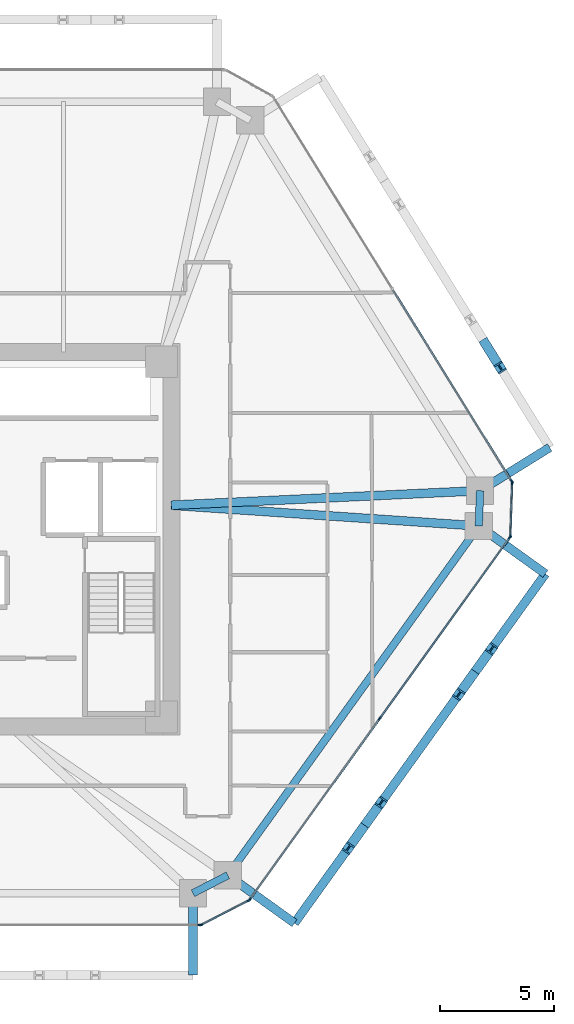
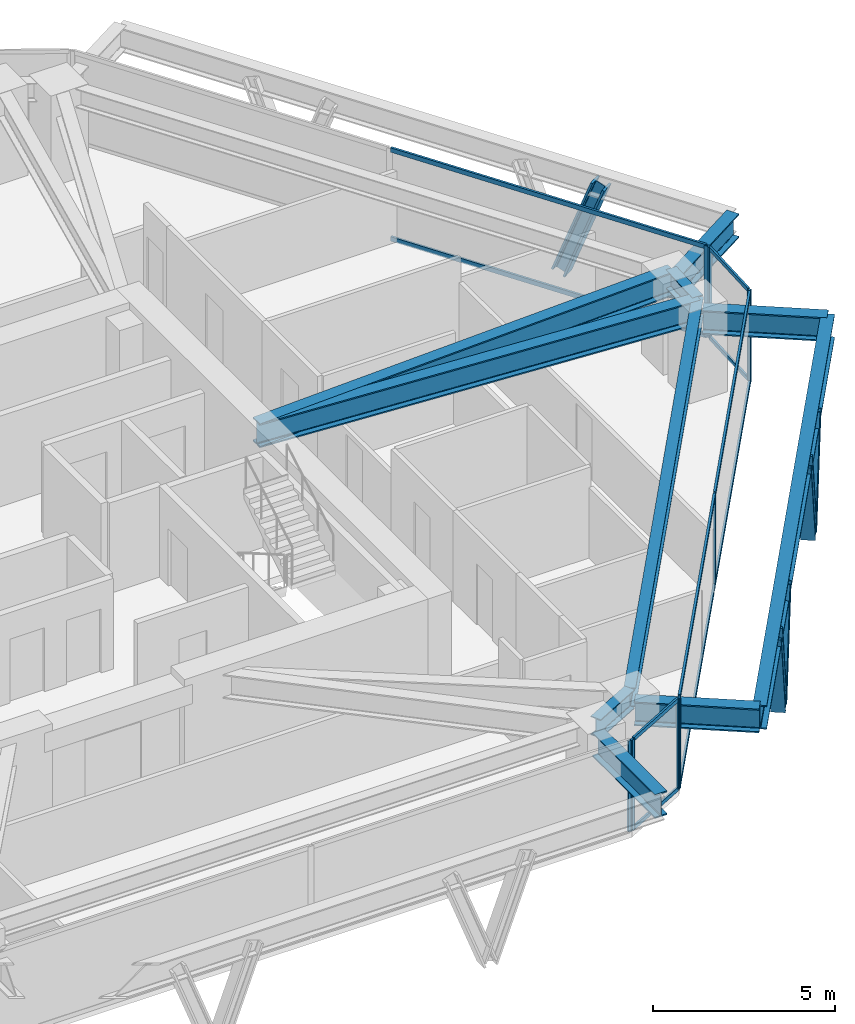
# One storey, part 5 of 13: 24 members, 10 beams, 5 elements without a shape of their own.
"""IFC4 building model written with IfcOpenShell, lengths in metres."""

from ifc_helpers import new_model, si_unit, direction, frame, origin, origin_2d, place, context, subcontext, project, spatial, rectangle, i_section, extrude, source, transform, mapped, material, layer, layer_set, material_profile, profile_set, type_object, type_shapes, element, aggregate, save


model = new_model("IFC4")

# Units and contexts
model_context = context("Model", 3, precision=1e-05, world=origin(), true_north=direction((0.0, 1.0)))
body_context = subcontext(model_context, "Body", "Model", "MODEL_VIEW")
ifc_project = project(units=[si_unit("LENGTHUNIT", "METRE"), si_unit("AREAUNIT", "SQUARE_METRE"), si_unit("VOLUMEUNIT", "CUBIC_METRE"), si_unit("PLANEANGLEUNIT", "RADIAN"), si_unit("MASSUNIT", "GRAM", prefix="KILO")], contexts=[model_context])

# Site, building, storey
site_placement = place(None, origin())
site = spatial("IfcSite", under=ifc_project, at=site_placement, CompositionType="ELEMENT")
building_placement = place(site_placement, origin())
building = spatial("IfcBuilding", under=site, at=building_placement, Name="Durnholm Broadcast Tower", CompositionType="ELEMENT")
storey_placement = place(building_placement, frame((0.0, 0.0, 133.800048828125)))
storey = spatial("IfcBuildingStorey", under=building, at=storey_placement, Name="L36", CompositionType="ELEMENT", Elevation=133.800048828125)

# Beams
ifc_material_1 = material(Name="Steel ASTM A992 Grade 50", Category="steel")
ifc_material_profile_1 = material_profile(ifc_material_1, i_section(OverallWidth=0.385009765625, OverallDepth=0.802978515625, WebThickness=0.023681640625, FlangeThickness=0.0419921875, FilletRadius=0.032958984375, at=origin_2d()), Name="W30X261")
ifc_profile_set_1 = profile_set([ifc_material_profile_1], Name="Steel ASTM A992 Grade 50")
beam_type_1 = type_object("IfcBeamType", Name="BM-EXO-TIE", PredefinedType="USERDEFINED", material=ifc_profile_set_1)
shared_shape_1 = source(origin(), body_context, "Body", "SweptSolid", [
    extrude(i_section(OverallWidth=0.385009765625, OverallDepth=0.802978515625, WebThickness=0.023681640625, FlangeThickness=0.0419921875, FilletRadius=0.032958984375, at=origin_2d()), origin(), (0.0, 0.0, 1.0), 3.4560546875),
])
for number, where, z_axis, x_axis, name in (
    (1, (11.176025390625, -15.680908203125, 2.30859375), (0.0, -1.0, 0.0), (1.0, 0.0, 0.0), "L36 exoskeleton stand-off tie bracket F1.2"),
    (2, (12.826904296875, -14.834228515625, 2.30859375), (0.812164951739, -0.583427880005, 0.0), (0.583427880005, 0.812164951739, 0.0), "L36 exoskeleton stand-off tie bracket F2.1"),
    (3, (23.844970703125, 0.5029296875, 2.30859375), (0.812164951739, -0.583427880005, 0.0), (0.583427880005, 0.812164951739, 0.0), "L36 exoskeleton stand-off tie bracket F2.2"),
    (4, (23.903076171875, 2.21240234375, 2.30859375), (0.849795112316, 0.527113144481, 0.0), (-0.527113144481, 0.849795112316, 0.0), "L36 exoskeleton stand-off tie bracket F3.1"),
):
    element("IfcBeam", number, at=place(storey_placement, frame(where, z_axis=z_axis, x_axis=x_axis)), inside=storey, type_object=beam_type_1, Name=name, ObjectType="GIRDER", PredefinedType="USERDEFINED", context=body_context, shape_type="MappedRepresentation", body=[
        mapped(shared_shape_1, transform((0.0, 0.0, 0.0), x_axis=(1.0, 0.0, 0.0), y_axis=(0.0, 1.0, 0.0), z_axis=(0.0, 0.0, 1.0), scale=1.0)),
    ])
ifc_material_profile_2 = material_profile(ifc_material_1, i_section(OverallWidth=0.3291015625, OverallDepth=0.635009765625, WebThickness=0.017822265625, FlangeThickness=0.031005859375, FilletRadius=0.02783203125, at=origin_2d()), Name="W24X162")
ifc_profile_set_2 = profile_set([ifc_material_profile_2], Name="Steel ASTM A992 Grade 50")
beam_type_2 = type_object("IfcBeamType", Name="STL-SP-W24X162", PredefinedType="SPANDREL", material=ifc_profile_set_2)
shared_shape_2 = source(origin(), body_context, "Body", "SweptSolid", [
    extrude(i_section(OverallWidth=0.3291015625, OverallDepth=0.635009765625, WebThickness=0.017822265625, FlangeThickness=0.031005859375, FilletRadius=0.02783203125, at=origin_2d()), origin(), (0.0, 0.0, 1.0), 18.884521484375),
])
beam_1_placement = place(storey_placement, frame((23.72802734375, 0.5869140625, 2.7275390625), z_axis=(-0.583443434414, -0.812153777827, 0.0), x_axis=(0.812153777827, -0.583443434414, 0.0)))
element("IfcBeam", 5, at=beam_1_placement, inside=storey, type_object=beam_type_2, Name="L36 perimeter spandrel girder 09", PredefinedType="SPANDREL", context=body_context, shape_type="MappedRepresentation", body=[
    mapped(shared_shape_2, transform((0.0, 0.0, 0.0), x_axis=(1.0, 0.0, 0.0), y_axis=(0.0, 1.0, 0.0), z_axis=(0.0, 0.0, 1.0), scale=1.0)),
])
shared_shape_3 = source(origin(), body_context, "Body", "SweptSolid", [
    extrude(i_section(OverallWidth=0.3291015625, OverallDepth=0.635009765625, WebThickness=0.017822265625, FlangeThickness=0.031005859375, FilletRadius=0.02783203125, at=origin_2d()), origin(), (0.0, 0.0, 1.0), 1.723876953125),
])
beam_2_placement = place(storey_placement, frame((12.7099609375, -14.750244140625, 2.7275390625), z_axis=(-0.889762904339, -0.456423020959, 0.0), x_axis=(0.456423020959, -0.889762904339, 0.0)))
element("IfcBeam", 6, at=beam_2_placement, inside=storey, type_object=beam_type_2, Name="L36 perimeter spandrel girder 10", PredefinedType="SPANDREL", context=body_context, shape_type="MappedRepresentation", body=[
    mapped(shared_shape_3, transform((0.0, 0.0, 0.0), x_axis=(1.0, 0.0, 0.0), y_axis=(0.0, 1.0, 0.0), z_axis=(0.0, 0.0, 1.0), scale=1.0)),
])
shared_shape_4 = source(origin(), body_context, "Body", "SweptSolid", [
    extrude(i_section(OverallWidth=0.3291015625, OverallDepth=0.635009765625, WebThickness=0.017822265625, FlangeThickness=0.031005859375, FilletRadius=0.02783203125, at=origin_2d()), origin(), (0.0, 0.0, 1.0), 1.55078125),
])
type_shapes(beam_type_2, [shared_shape_2, shared_shape_3, shared_shape_4])
beam_3_placement = place(storey_placement, frame((23.78076171875, 2.13671875, 2.7275390625), z_axis=(-0.03400678419, -0.999421602042, 0.0), x_axis=(0.999421602042, -0.03400678419, 0.0)))
element("IfcBeam", 7, at=beam_3_placement, inside=storey, type_object=beam_type_2, Name="L36 perimeter spandrel girder 08", PredefinedType="SPANDREL", context=body_context, shape_type="MappedRepresentation", body=[
    mapped(shared_shape_4, transform((0.0, 0.0, 0.0), x_axis=(1.0, 0.0, 0.0), y_axis=(0.0, 1.0, 0.0), z_axis=(0.0, 0.0, 1.0), scale=1.0)),
])
ifc_material_profile_3 = material_profile(ifc_material_1, i_section(OverallWidth=0.385009765625, OverallDepth=0.802978515625, WebThickness=0.023681640625, FlangeThickness=0.0419921875, FilletRadius=0.032958984375, at=origin_2d()), Name="W30X261")
ifc_profile_set_3 = profile_set([ifc_material_profile_3], Name="Steel ASTM A992 Grade 50")
beam_type_3 = type_object("IfcBeamType", Name="STL-GR-W30X261", PredefinedType="USERDEFINED", material=ifc_profile_set_3)
shared_shape_5 = source(origin(), body_context, "Body", "SweptSolid", [
    extrude(i_section(OverallWidth=0.385009765625, OverallDepth=0.802978515625, WebThickness=0.023681640625, FlangeThickness=0.0419921875, FilletRadius=0.032958984375, at=origin_2d()), origin(), (0.0, 0.0, 1.0), 13.570556640625),
])
beam_4_placement = place(storey_placement, frame((10.22509765625, 1.5, 2.6435546875), z_axis=(0.99889869961, 0.046918950518, 0.0), x_axis=(-0.046918950518, 0.99889869961, 0.0)))
element("IfcBeam", 8, at=beam_4_placement, inside=storey, type_object=beam_type_3, Name="L36 radial primary floor girder 08", ObjectType="GIRDER", PredefinedType="USERDEFINED", context=body_context, shape_type="MappedRepresentation", body=[
    mapped(shared_shape_5, transform((0.0, 0.0, 0.0), x_axis=(1.0, 0.0, 0.0), y_axis=(0.0, 1.0, 0.0), z_axis=(0.0, 0.0, 1.0), scale=1.0)),
])
shared_shape_6 = source(origin(), body_context, "Body", "SweptSolid", [
    extrude(i_section(OverallWidth=0.385009765625, OverallDepth=0.802978515625, WebThickness=0.023681640625, FlangeThickness=0.0419921875, FilletRadius=0.032958984375, at=origin_2d()), origin(), (0.0, 0.0, 1.0), 13.53369140625),
])
type_shapes(beam_type_3, [shared_shape_5, shared_shape_6])
beam_5_placement = place(storey_placement, frame((10.22509765625, 1.5, 2.6435546875), z_axis=(0.99772148964, -0.067467244725, 0.0), x_axis=(0.067467244725, 0.99772148964, 0.0)))
element("IfcBeam", 9, at=beam_5_placement, inside=storey, type_object=beam_type_3, Name="L36 radial primary floor girder 09", ObjectType="GIRDER", PredefinedType="USERDEFINED", context=body_context, shape_type="MappedRepresentation", body=[
    mapped(shared_shape_6, transform((0.0, 0.0, 0.0), x_axis=(1.0, 0.0, 0.0), y_axis=(0.0, 1.0, 0.0), z_axis=(0.0, 0.0, 1.0), scale=1.0)),
])
shared_shape_7 = source(origin(), body_context, "Body", "SweptSolid", [
    extrude(i_section(OverallWidth=0.385009765625, OverallDepth=0.802978515625, WebThickness=0.023681640625, FlangeThickness=0.0419921875, FilletRadius=0.032958984375, at=origin_2d()), origin(), (0.0, 0.0, 1.0), 18.884521484375),
])
type_shapes(beam_type_1, [shared_shape_1, shared_shape_7])
beam_6_placement = place(storey_placement, frame((15.6337890625, -16.8505859375, 2.30859375), z_axis=(0.583443434414, 0.812153777827, 0.0), x_axis=(-0.812153777827, 0.583443434414, 0.0)))
element("IfcBeam", 10, at=beam_6_placement, inside=storey, type_object=beam_type_1, Name="L36 exoskeleton collector spandrel F2", PredefinedType="SPANDREL", context=body_context, shape_type="MappedRepresentation", body=[
    mapped(shared_shape_7, transform((0.0, 0.0, 0.0), x_axis=(1.0, 0.0, 0.0), y_axis=(0.0, 1.0, 0.0), z_axis=(0.0, 0.0, 1.0), scale=1.0)),
])

# Members
ifc_material_2 = material(Name="Steel ASTM A913 Grade 65", Category="steel")
ifc_material_profile_4 = material_profile(ifc_material_2, i_section(OverallWidth=0.41845703125, OverallDepth=0.455078125, WebThickness=0.0419921875, FlangeThickness=0.067626953125, FilletRadius=0.030517578125, at=origin_2d()), Name="W14X370")
ifc_profile_set_4 = profile_set([ifc_material_profile_4], Name="Steel ASTM A913 Grade 65")
member_type_1 = type_object("IfcMemberType", Name="STL-DG-W14X370", PredefinedType="BRACE", material=ifc_profile_set_4)
shared_shape_8 = source(origin(), body_context, "Body", "SweptSolid", [
    extrude(i_section(OverallWidth=0.41845703125, OverallDepth=0.455078125, WebThickness=0.0419921875, FlangeThickness=0.067626953125, FilletRadius=0.030517578125, at=origin_2d()), origin(), (0.0, 0.0, 1.0), 3.523193359375),
])
type_shapes(member_type_1, [shared_shape_8])
for number, where, z_axis, x_axis, name in (
    (11, (18.71875, -12.556396484375, -0.991455078125), (-0.204287819296, -0.284395254542, 0.936688756248), (0.812179469647, -0.583407669717, 0.0), "L36 stand-off diagrid brace F2.D1.1"),
    (12, (18.71875, -12.556396484375, -0.991455078125), (0.204350195342, 0.284454917557, 0.936657033039), (-0.812153063014, 0.583444429434, 0.0), "L36 stand-off diagrid brace F2.D1.2"),
    (13, (23.56689453125, -5.807861328125, -0.991455078125), (-0.204350195342, -0.284454917557, 0.936657033039), (0.812153063014, -0.583444429434, 0.0), "L36 stand-off diagrid brace F2.D2.1"),
    (14, (23.56689453125, -5.807861328125, -0.991455078125), (0.204287819296, 0.284395254542, 0.936688756248), (-0.812179469647, 0.583407669717, 0.0), "L36 stand-off diagrid brace F2.D2.2"),
    (15, (24.01513671875, 8.58837890625, -0.991455078125), (0.184602835855, -0.297623566065, 0.936665364961), (0.849805205368, 0.527096872433, 0.0), "L36 stand-off diagrid brace F3.D1.1"),
):
    element("IfcMember", number, at=place(storey_placement, frame(where, z_axis=z_axis, x_axis=x_axis)), inside=storey, type_object=member_type_1, Name=name, PredefinedType="BRACE", context=body_context, shape_type="MappedRepresentation", body=[
        mapped(shared_shape_8, transform((0.0, 0.0, 0.0), x_axis=(1.0, 0.0, 0.0), y_axis=(0.0, 1.0, 0.0), z_axis=(0.0, 0.0, 1.0), scale=1.0)),
    ])

# Curtain wall, members
ifc_material_3 = material(Name="Aluminium and Solar Control IGU", Category="aluminium")
ifc_layer_1 = layer(ifc_material_3, 0.1650390625)
ifc_layer_set_1 = layer_set([ifc_layer_1], Name="Aluminium and Solar Control IGU")
curtain_wall_type_1 = type_object("IfcCurtainWallType", Name="CW-SYS-5", PredefinedType="NOTDEFINED", material=ifc_layer_set_1)
curtain_wall_1_placement = place(storey_placement, origin())
curtain_wall_1 = element("IfcCurtainWall", 16, at=curtain_wall_1_placement, inside=storey, type_object=curtain_wall_type_1, Name="L36 curtain wall CW-CORNER CW-L36-CRN-07", PredefinedType="NOTDEFINED")
ifc_material_4 = material(Name="Aluminium 6063-T6", Category="aluminium")
ifc_material_profile_5 = material_profile(ifc_material_4, rectangle(XDim=0.06494140625, YDim=0.1650390625, at=origin_2d()), Name="CWM65X165")
ifc_profile_set_5 = profile_set([ifc_material_profile_5], Name="Aluminium 6063-T6")
member_type_2 = type_object("IfcMemberType", Name="CW-SYS-5-MUL", PredefinedType="MULLION", material=ifc_profile_set_5)
shared_shape_9 = source(origin(), body_context, "Body", "SweptSolid", [
    extrude(rectangle(XDim=0.06494140625, YDim=0.1650390625, at=origin_2d()), origin(), (0.0, 0.0, 1.0), 3.06005859375),
])
type_shapes(member_type_2, [shared_shape_9])
member_1_placement = place(storey_placement, frame((25.193115234375, 2.481201171875, 0.0), z_axis=(0.0, 0.0, 1.0), x_axis=(0.999424655155, -0.033916937775, 0.0)))
member_1 = element("IfcMember", 17, at=member_1_placement, type_object=member_type_2, Name="CW-CORNER mullion 1", PredefinedType="MULLION", context=body_context, shape_type="MappedRepresentation", body=[
    mapped(shared_shape_9, transform((0.0, 0.0, 0.0), x_axis=(1.0, 0.0, 0.0), y_axis=(0.0, 1.0, 0.0), z_axis=(0.0, 0.0, 1.0), scale=1.0)),
])
member_2_placement = place(storey_placement, frame((25.114013671875, 0.1474609375, 0.0), z_axis=(0.0, 0.0, 1.0), x_axis=(0.999424655155, -0.033916937775, 0.0)))
member_2 = element("IfcMember", 18, at=member_2_placement, type_object=member_type_2, Name="CW-CORNER mullion 2", PredefinedType="MULLION", context=body_context, shape_type="MappedRepresentation", body=[
    mapped(shared_shape_9, transform((0.0, 0.0, 0.0), x_axis=(1.0, 0.0, 0.0), y_axis=(0.0, 1.0, 0.0), z_axis=(0.0, 0.0, 1.0), scale=1.0)),
])

curtain_wall_2_placement = place(storey_placement, origin())
curtain_wall_2 = element("IfcCurtainWall", 19, at=curtain_wall_2_placement, inside=storey, type_object=curtain_wall_type_1, Name="L36 curtain wall CW-CORNER CW-L36-CRN-09", PredefinedType="NOTDEFINED")
member_3_placement = place(storey_placement, frame((13.620849609375, -15.8564453125, 0.0), z_axis=(0.0, 0.0, 1.0), x_axis=(0.45637332267, -0.889788396392, 0.0)))
member_3 = element("IfcMember", 20, at=member_3_placement, type_object=member_type_2, Name="CW-CORNER mullion 1", PredefinedType="MULLION", context=body_context, shape_type="MappedRepresentation", body=[
    mapped(shared_shape_9, transform((0.0, 0.0, 0.0), x_axis=(1.0, 0.0, 0.0), y_axis=(0.0, 1.0, 0.0), z_axis=(0.0, 0.0, 1.0), scale=1.0)),
])
member_4_placement = place(storey_placement, frame((11.543212890625, -16.922119140625, 0.0), z_axis=(0.0, 0.0, 1.0), x_axis=(0.45637332267, -0.889788396392, 0.0)))
member_4 = element("IfcMember", 21, at=member_4_placement, type_object=member_type_2, Name="CW-CORNER mullion 2", PredefinedType="MULLION", context=body_context, shape_type="MappedRepresentation", body=[
    mapped(shared_shape_9, transform((0.0, 0.0, 0.0), x_axis=(1.0, 0.0, 0.0), y_axis=(0.0, 1.0, 0.0), z_axis=(0.0, 0.0, 1.0), scale=1.0)),
])

# Curtain wall, member
ifc_layer_2 = layer(ifc_material_3, 0.18994140625)
ifc_layer_set_2 = layer_set([ifc_layer_2], Name="Aluminium and Solar Control IGU")
curtain_wall_type_2 = type_object("IfcCurtainWallType", Name="CW-SYS-3", PredefinedType="NOTDEFINED", material=ifc_layer_set_2)
curtain_wall_3_placement = place(storey_placement, origin())
curtain_wall_3 = element("IfcCurtainWall", 22, at=curtain_wall_3_placement, inside=storey, type_object=curtain_wall_type_2, Name="L36 curtain wall CW-Z12-VIS CW-L36-F06", PredefinedType="NOTDEFINED")
ifc_material_profile_6 = material_profile(ifc_material_4, rectangle(XDim=0.070068359375, YDim=0.18994140625, at=origin_2d()), Name="CWM70X190")
ifc_profile_set_6 = profile_set([ifc_material_profile_6], Name="Aluminium 6063-T6")
member_type_3 = type_object("IfcMemberType", Name="CW-SYS-3-MUL", PredefinedType="MULLION", material=ifc_profile_set_6)
shared_shape_10 = source(origin(), body_context, "Body", "SweptSolid", [
    extrude(rectangle(XDim=0.070068359375, YDim=0.18994140625, at=origin_2d()), origin(), (0.0, 0.0, 1.0), 3.06005859375),
])
type_shapes(member_type_3, [shared_shape_10])
member_5_placement = place(storey_placement, frame((25.17578125, 2.54345703125, 0.0), z_axis=(0.0, 0.0, 1.0), x_axis=(0.849799925229, 0.527105385176, 0.0)))
member_5 = element("IfcMember", 23, at=member_5_placement, type_object=member_type_3, Name="CW-Z12-VIS mullion 3", PredefinedType="MULLION", context=body_context, shape_type="MappedRepresentation", body=[
    mapped(shared_shape_10, transform((0.0, 0.0, 0.0), x_axis=(1.0, 0.0, 0.0), y_axis=(0.0, 1.0, 0.0), z_axis=(0.0, 0.0, 1.0), scale=1.0)),
])

# Curtain wall, members
curtain_wall_4_placement = place(storey_placement, origin())
curtain_wall_4 = element("IfcCurtainWall", 24, at=curtain_wall_4_placement, inside=storey, type_object=curtain_wall_type_2, Name="L36 curtain wall CW-Z12-VIS CW-L36-F08", PredefinedType="NOTDEFINED")
member_6_placement = place(storey_placement, frame((25.092529296875, 0.086669921875, 0.0), z_axis=(0.0, 0.0, 1.0), x_axis=(0.812152312759, -0.583445473786, 0.0)))
member_6 = element("IfcMember", 25, at=member_6_placement, type_object=member_type_3, Name="CW-Z12-VIS mullion 1", PredefinedType="MULLION", context=body_context, shape_type="MappedRepresentation", body=[
    mapped(shared_shape_10, transform((0.0, 0.0, 0.0), x_axis=(1.0, 0.0, 0.0), y_axis=(0.0, 1.0, 0.0), z_axis=(0.0, 0.0, 1.0), scale=1.0)),
])
member_7_placement = place(storey_placement, frame((19.38134765625, -7.86328125, 0.0), z_axis=(0.0, 0.0, 1.0), x_axis=(0.812152312759, -0.583445473786, 0.0)))
member_7 = element("IfcMember", 26, at=member_7_placement, type_object=member_type_3, Name="CW-Z12-VIS mullion 2", PredefinedType="MULLION", context=body_context, shape_type="MappedRepresentation", body=[
    mapped(shared_shape_10, transform((0.0, 0.0, 0.0), x_axis=(1.0, 0.0, 0.0), y_axis=(0.0, 1.0, 0.0), z_axis=(0.0, 0.0, 1.0), scale=1.0)),
])
member_8_placement = place(storey_placement, frame((13.670166015625, -15.813232421875, 0.0), z_axis=(0.0, 0.0, 1.0), x_axis=(0.812152312759, -0.583445473786, 0.0)))
member_8 = element("IfcMember", 27, at=member_8_placement, type_object=member_type_3, Name="CW-Z12-VIS mullion 3", PredefinedType="MULLION", context=body_context, shape_type="MappedRepresentation", body=[
    mapped(shared_shape_10, transform((0.0, 0.0, 0.0), x_axis=(1.0, 0.0, 0.0), y_axis=(0.0, 1.0, 0.0), z_axis=(0.0, 0.0, 1.0), scale=1.0)),
])

# Curtain wall, member
curtain_wall_5_placement = place(storey_placement, origin())
curtain_wall_5 = element("IfcCurtainWall", 28, at=curtain_wall_5_placement, inside=storey, type_object=curtain_wall_type_2, Name="L36 curtain wall CW-Z12-VIS CW-L36-F10", PredefinedType="NOTDEFINED")
member_9_placement = place(storey_placement, frame((11.479248046875, -16.93701171875, 0.0), z_axis=(0.0, 0.0, 1.0), x_axis=(0.0, -1.0, 0.0)))
member_9 = element("IfcMember", 29, at=member_9_placement, type_object=member_type_3, Name="CW-Z12-VIS mullion 1", PredefinedType="MULLION", context=body_context, shape_type="MappedRepresentation", body=[
    mapped(shared_shape_10, transform((0.0, 0.0, 0.0), x_axis=(1.0, 0.0, 0.0), y_axis=(0.0, 1.0, 0.0), z_axis=(0.0, 0.0, 1.0), scale=1.0)),
])
aggregate(curtain_wall_5, [member_9])

# Member
ifc_material_profile_7 = material_profile(ifc_material_4, rectangle(XDim=0.06494140625, YDim=0.1298828125, at=origin_2d()), Name="CWT65X130")
ifc_profile_set_7 = profile_set([ifc_material_profile_7], Name="Aluminium 6063-T6")
member_type_4 = type_object("IfcMemberType", Name="CW-SYS-5-TRN", PredefinedType="USERDEFINED", material=ifc_profile_set_7)
shared_shape_11 = source(origin(), body_context, "Body", "SweptSolid", [
    extrude(rectangle(XDim=0.06494140625, YDim=0.1298828125, at=origin_2d()), origin(), (0.0, 0.0, 1.0), 2.27001953125),
])
type_shapes(member_type_4, [shared_shape_11])
member_10_placement = place(storey_placement, frame((25.192138671875, 2.44873046875, 0.032470703125), z_axis=(-0.03398444704, -0.999422361847, 0.0), x_axis=(0.999422361847, -0.03398444704, 0.0)))
member_10 = element("IfcMember", 30, at=member_10_placement, type_object=member_type_4, Name="CW-CORNER transom 1.1", ObjectType="TRANSOM", PredefinedType="USERDEFINED", context=body_context, shape_type="MappedRepresentation", body=[
    mapped(shared_shape_11, transform((0.0, 0.0, 0.0), x_axis=(1.0, 0.0, 0.0), y_axis=(0.0, 1.0, 0.0), z_axis=(0.0, 0.0, 1.0), scale=1.0)),
])

member_11_placement = place(storey_placement, frame((25.192138671875, 2.44873046875, 3.02734375), z_axis=(-0.03398444704, -0.999422361847, 0.0), x_axis=(0.999422361847, -0.03398444704, 0.0)))
member_11 = element("IfcMember", 31, at=member_11_placement, type_object=member_type_4, Name="CW-CORNER transom 1.2", ObjectType="TRANSOM", PredefinedType="USERDEFINED", context=body_context, shape_type="MappedRepresentation", body=[
    mapped(shared_shape_11, transform((0.0, 0.0, 0.0), x_axis=(1.0, 0.0, 0.0), y_axis=(0.0, 1.0, 0.0), z_axis=(0.0, 0.0, 1.0), scale=1.0)),
])

aggregate(curtain_wall_1, [member_1, member_2, member_10, member_11])

member_12_placement = place(storey_placement, frame((13.591796875, -15.871337890625, 0.032470703125), z_axis=(-0.889798425843, -0.456353767781, 0.0), x_axis=(0.456353767781, -0.889798425843, 0.0)))
member_12 = element("IfcMember", 32, at=member_12_placement, type_object=member_type_4, Name="CW-CORNER transom 1.1", ObjectType="TRANSOM", PredefinedType="USERDEFINED", context=body_context, shape_type="MappedRepresentation", body=[
    mapped(shared_shape_11, transform((0.0, 0.0, 0.0), x_axis=(1.0, 0.0, 0.0), y_axis=(0.0, 1.0, 0.0), z_axis=(0.0, 0.0, 1.0), scale=1.0)),
])

member_13_placement = place(storey_placement, frame((13.591796875, -15.871337890625, 3.02734375), z_axis=(-0.889798425843, -0.456353767781, 0.0), x_axis=(0.456353767781, -0.889798425843, 0.0)))
member_13 = element("IfcMember", 33, at=member_13_placement, type_object=member_type_4, Name="CW-CORNER transom 1.2", ObjectType="TRANSOM", PredefinedType="USERDEFINED", context=body_context, shape_type="MappedRepresentation", body=[
    mapped(shared_shape_11, transform((0.0, 0.0, 0.0), x_axis=(1.0, 0.0, 0.0), y_axis=(0.0, 1.0, 0.0), z_axis=(0.0, 0.0, 1.0), scale=1.0)),
])

aggregate(curtain_wall_2, [member_3, member_4, member_12, member_13])

ifc_material_profile_8 = material_profile(ifc_material_4, rectangle(XDim=0.070068359375, YDim=0.14990234375, at=origin_2d()), Name="CWT70X150")
ifc_profile_set_8 = profile_set([ifc_material_profile_8], Name="Aluminium 6063-T6")
member_type_5 = type_object("IfcMemberType", Name="CW-SYS-3-TRN", PredefinedType="USERDEFINED", material=ifc_profile_set_8)
shared_shape_12 = source(origin(), body_context, "Body", "SweptSolid", [
    extrude(rectangle(XDim=0.070068359375, YDim=0.14990234375, at=origin_2d()), origin(), (0.0, 0.0, 1.0), 9.71875),
])
member_14_placement = place(storey_placement, frame((25.072021484375, 0.05810546875, 0.034912109375), z_axis=(-0.583450726174, -0.812148539448, 0.0), x_axis=(0.812148539448, -0.583450726174, 0.0)))
member_14 = element("IfcMember", 34, at=member_14_placement, type_object=member_type_5, Name="CW-Z12-VIS transom 1.1", ObjectType="TRANSOM", PredefinedType="USERDEFINED", context=body_context, shape_type="MappedRepresentation", body=[
    mapped(shared_shape_12, transform((0.0, 0.0, 0.0), x_axis=(1.0, 0.0, 0.0), y_axis=(0.0, 1.0, 0.0), z_axis=(0.0, 0.0, 1.0), scale=1.0)),
])

member_15_placement = place(storey_placement, frame((25.072021484375, 0.05810546875, 3.02490234375), z_axis=(-0.583450726174, -0.812148539448, 0.0), x_axis=(0.812148539448, -0.583450726174, 0.0)))
member_15 = element("IfcMember", 35, at=member_15_placement, type_object=member_type_5, Name="CW-Z12-VIS transom 1.2", ObjectType="TRANSOM", PredefinedType="USERDEFINED", context=body_context, shape_type="MappedRepresentation", body=[
    mapped(shared_shape_12, transform((0.0, 0.0, 0.0), x_axis=(1.0, 0.0, 0.0), y_axis=(0.0, 1.0, 0.0), z_axis=(0.0, 0.0, 1.0), scale=1.0)),
])

member_16_placement = place(storey_placement, frame((19.36083984375, -7.891845703125, 0.034912109375), z_axis=(-0.583450726174, -0.812148539448, 0.0), x_axis=(0.812148539448, -0.583450726174, 0.0)))
member_16 = element("IfcMember", 36, at=member_16_placement, type_object=member_type_5, Name="CW-Z12-VIS transom 2.1", ObjectType="TRANSOM", PredefinedType="USERDEFINED", context=body_context, shape_type="MappedRepresentation", body=[
    mapped(shared_shape_12, transform((0.0, 0.0, 0.0), x_axis=(1.0, 0.0, 0.0), y_axis=(0.0, 1.0, 0.0), z_axis=(0.0, 0.0, 1.0), scale=1.0)),
])

member_17_placement = place(storey_placement, frame((19.36083984375, -7.891845703125, 3.02490234375), z_axis=(-0.583450726174, -0.812148539448, 0.0), x_axis=(0.812148539448, -0.583450726174, 0.0)))
member_17 = element("IfcMember", 37, at=member_17_placement, type_object=member_type_5, Name="CW-Z12-VIS transom 2.2", ObjectType="TRANSOM", PredefinedType="USERDEFINED", context=body_context, shape_type="MappedRepresentation", body=[
    mapped(shared_shape_12, transform((0.0, 0.0, 0.0), x_axis=(1.0, 0.0, 0.0), y_axis=(0.0, 1.0, 0.0), z_axis=(0.0, 0.0, 1.0), scale=1.0)),
])

aggregate(curtain_wall_4, [member_6, member_7, member_8, member_14, member_15, member_16, member_17])

shared_shape_13 = source(origin(), body_context, "Body", "SweptSolid", [
    extrude(rectangle(XDim=0.070068359375, YDim=0.14990234375, at=origin_2d()), origin(), (0.0, 0.0, 1.0), 9.859130859375),
])
type_shapes(member_type_5, [shared_shape_12, shared_shape_13])
member_18_placement = place(storey_placement, frame((19.960693359375, 10.951171875, 0.034912109375), z_axis=(0.527108872232, -0.849797762303, 0.0), x_axis=(0.849797762303, 0.527108872232, 0.0)))
member_18 = element("IfcMember", 38, at=member_18_placement, type_object=member_type_5, Name="CW-Z12-VIS transom 2.1", ObjectType="TRANSOM", PredefinedType="USERDEFINED", context=body_context, shape_type="MappedRepresentation", body=[
    mapped(shared_shape_13, transform((0.0, 0.0, 0.0), x_axis=(1.0, 0.0, 0.0), y_axis=(0.0, 1.0, 0.0), z_axis=(0.0, 0.0, 1.0), scale=1.0)),
])

member_19_placement = place(storey_placement, frame((19.960693359375, 10.951171875, 3.02490234375), z_axis=(0.527108872232, -0.849797762303, 0.0), x_axis=(0.849797762303, 0.527108872232, 0.0)))
member_19 = element("IfcMember", 39, at=member_19_placement, type_object=member_type_5, Name="CW-Z12-VIS transom 2.2", ObjectType="TRANSOM", PredefinedType="USERDEFINED", context=body_context, shape_type="MappedRepresentation", body=[
    mapped(shared_shape_13, transform((0.0, 0.0, 0.0), x_axis=(1.0, 0.0, 0.0), y_axis=(0.0, 1.0, 0.0), z_axis=(0.0, 0.0, 1.0), scale=1.0)),
])

aggregate(curtain_wall_3, [member_5, member_18, member_19])

save(model, "model.ifc")
